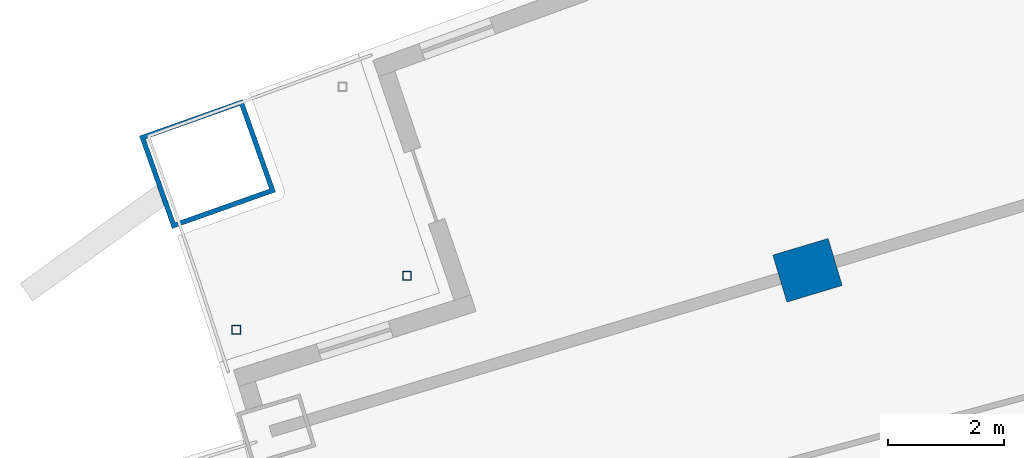
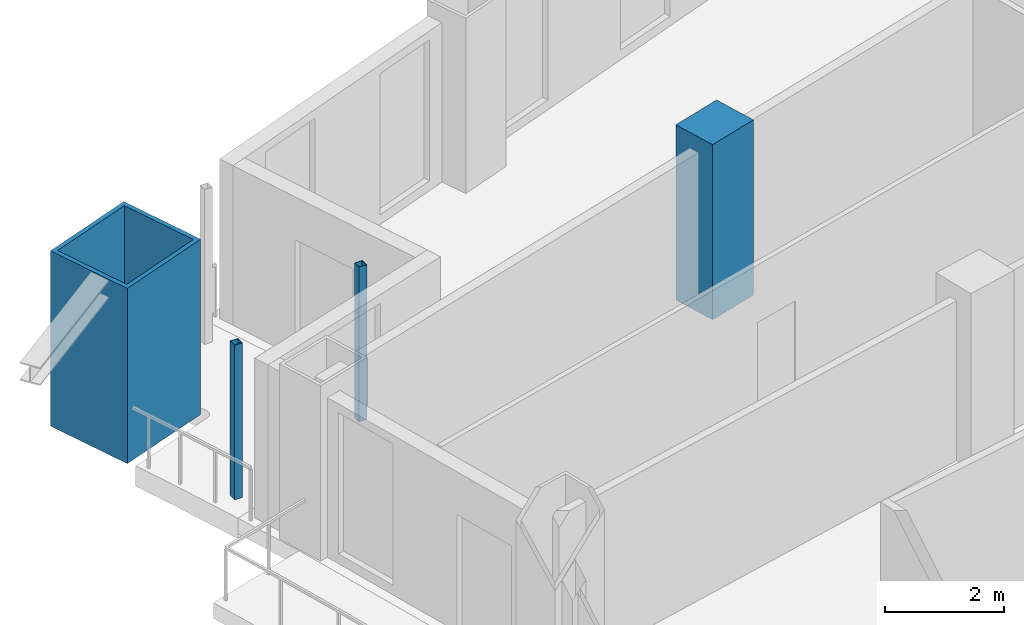
# One storey, part 7 of 25: 4 columns.
"""IFC4 building model written with IfcOpenShell, lengths in metres."""

from ifc_helpers import new_model, si_unit, direction, frame, origin, origin_2d, place, context, subcontext, project, spatial, rectangle, hollow_rectangle, extrude, material, material_profile, profile_set, type_object, element, save


model = new_model("IFC4")

# Units and contexts
model_context = context("Model", 3, precision=1e-05, world=origin(), true_north=direction((0.0, 1.0)))
body_context = subcontext(model_context, "Body", "Model", "MODEL_VIEW")
ifc_project = project(units=[si_unit("LENGTHUNIT", "METRE"), si_unit("AREAUNIT", "SQUARE_METRE"), si_unit("VOLUMEUNIT", "CUBIC_METRE"), si_unit("PLANEANGLEUNIT", "RADIAN"), si_unit("MASSUNIT", "GRAM", prefix="KILO")], contexts=[model_context])

# Site, building, storey
site_placement = place(None, origin())
site = spatial("IfcSite", under=ifc_project, at=site_placement, CompositionType="ELEMENT")
building_placement = place(site_placement, origin())
building = spatial("IfcBuilding", under=site, at=building_placement, Name="Alderwake Tower", CompositionType="ELEMENT")
storey_placement = place(building_placement, frame((0.0, 0.0, 118.39990234375)))
storey = spatial("IfcBuildingStorey", under=building, at=storey_placement, Name="L29", CompositionType="ELEMENT", Elevation=118.39990234375)

# Columns
ifc_material_1 = material(Name="Concrete C70/85", Category="concrete")
ifc_material_profile_1 = material_profile(ifc_material_1, rectangle(XDim=0.85009765625, YDim=1.0, at=origin_2d()), Name="RC 1000X850")
ifc_profile_set_1 = profile_set([ifc_material_profile_1], Name="Concrete C70/85")
column_type_1 = type_object("IfcColumnType", Name="Interior column Z2", PredefinedType="COLUMN", material=ifc_profile_set_1)
column_1_placement = place(storey_placement, frame((21.714599609375, 91.53759765625, 0.0), z_axis=(0.0, 0.0, 1.0), x_axis=(-0.287549418125, 0.957765802342, 0.0)))
element("IfcColumn", 1, at=column_1_placement, inside=storey, type_object=column_type_1, Name="Column R12-C1", PredefinedType="COLUMN", context=body_context, shape_type="SweptSolid", body=[
    extrude(rectangle(XDim=0.85009765625, YDim=1.0, at=origin_2d()), origin(), (0.0, 0.0, 1.0), 3.60009765625),
])
ifc_material_2 = material(Name="Steel ASTM A500 Grade C", Category="steel")
ifc_material_profile_2 = material_profile(ifc_material_2, hollow_rectangle(XDim=0.15234375, YDim=0.15234375, WallThickness=0.0087890625, at=origin_2d()), Name="HSS6X6X3/8")
ifc_profile_set_2 = profile_set([ifc_material_profile_2], Name="Steel ASTM A500 Grade C")
column_type_2 = type_object("IfcColumnType", Name="Light post HSS6X6X3/8", PredefinedType="COLUMN", material=ifc_profile_set_2)
for number, where, z_axis, x_axis, name in (
    (2, (11.82568359375, 90.507080078125, 0.0), (0.0, 0.0, 1.0), (1.0, 0.0, 0.0), "Terrace post RN1"),
    (3, (14.781494140625, 91.441650390625, 0.0), (0.0, 0.0, 1.0), (1.0, 0.0, 0.0), "Terrace post RN3"),
):
    element("IfcColumn", number, at=place(storey_placement, frame(where, z_axis=z_axis, x_axis=x_axis)), inside=storey, type_object=column_type_2, Name=name, PredefinedType="COLUMN", context=body_context, shape_type="SweptSolid", body=[
        extrude(hollow_rectangle(XDim=0.15234375, YDim=0.15234375, WallThickness=0.0087890625, at=origin_2d()), origin(), (0.0, 0.0, 1.0), 3.18017578125),
    ])
ifc_material_3 = material(Name="Steel ASTM A572 Grade 50 concrete filled C70/85", Category="concrete")
ifc_material_profile_3 = material_profile(ifc_material_3, hollow_rectangle(XDim=1.699951171875, YDim=1.89990234375, WallThickness=0.0849609375, at=origin_2d()), Name="BOX 1900X1700X85")
ifc_profile_set_3 = profile_set([ifc_material_profile_3], Name="Steel ASTM A572 Grade 50 concrete filled C70/85")
column_type_3 = type_object("IfcColumnType", Name="Mega column Z2", PredefinedType="COLUMN", material=ifc_profile_set_3)
column_2_placement = place(storey_placement, frame((11.330810546875, 93.377197265625, 0.0), z_axis=(0.0, 0.0, 1.0), x_axis=(-0.334130947791, 0.942526662609, 0.0)))
element("IfcColumn", 4, at=column_2_placement, inside=storey, type_object=column_type_3, Name="Column R13-C0", PredefinedType="COLUMN", context=body_context, shape_type="SweptSolid", body=[
    extrude(hollow_rectangle(XDim=1.699951171875, YDim=1.89990234375, WallThickness=0.0849609375, at=origin_2d()), origin(), (0.0, 0.0, 1.0), 3.60009765625),
])

save(model, "model.ifc")
